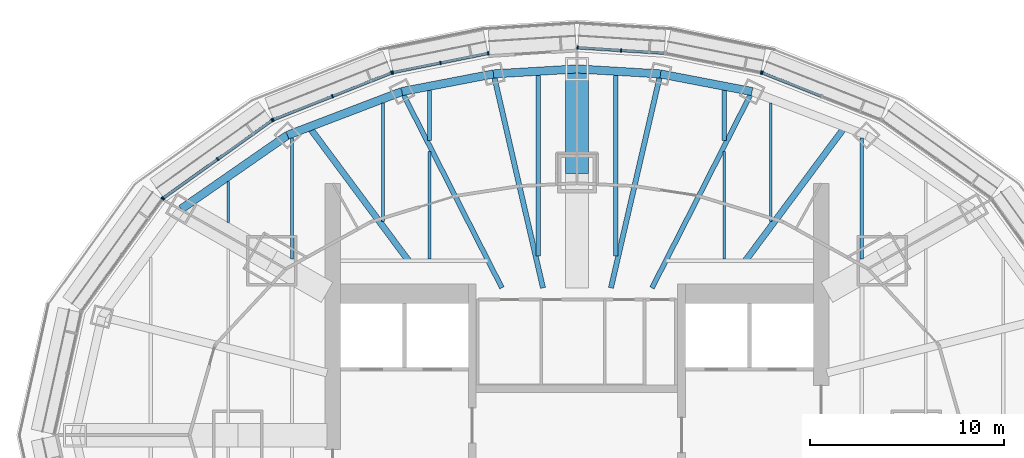
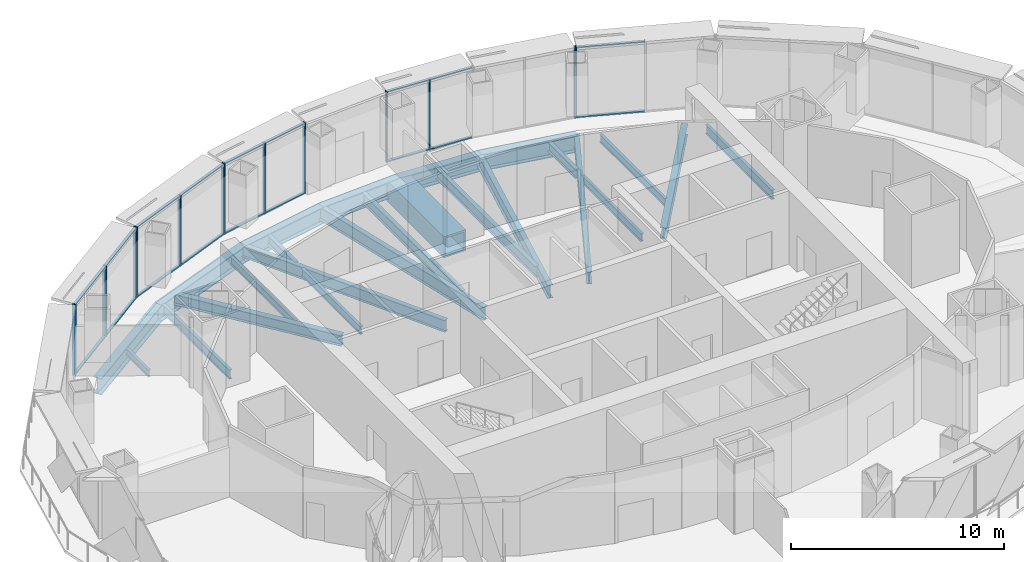
# One storey, part 7 of 17: 32 members, 24 beams, 7 elements without a shape of their own.
"""IFC4 building model written with IfcOpenShell, lengths in metres."""

from ifc_helpers import new_model, si_unit, direction, frame, origin, origin_2d, place, context, subcontext, project, spatial, rectangle, hollow_rectangle, i_section, extrude, material, material_profile, profile_set, type_object, element, aggregate, save


model = new_model("IFC4")

# Units and contexts
model_context = context("Model", 3, precision=1e-05, world=origin(), true_north=direction((0.0, 1.0)))
body_context = subcontext(model_context, "Body", "Model", "MODEL_VIEW")
ifc_project = project(units=[si_unit("LENGTHUNIT", "METRE"), si_unit("AREAUNIT", "SQUARE_METRE"), si_unit("VOLUMEUNIT", "CUBIC_METRE"), si_unit("PLANEANGLEUNIT", "RADIAN"), si_unit("MASSUNIT", "GRAM", prefix="KILO")], contexts=[model_context])

# Site, building, storey
site_placement = place(None, origin())
site = spatial("IfcSite", under=ifc_project, at=site_placement, CompositionType="ELEMENT")
building_placement = place(site_placement, origin())
building = spatial("IfcBuilding", under=site, at=building_placement, Name="Lantaw Convention Tower", CompositionType="ELEMENT")
storey_placement = place(building_placement, frame((0.0, 0.0, 199.0)))
storey = spatial("IfcBuildingStorey", under=building, at=storey_placement, Name="L46", CompositionType="ELEMENT", Elevation=199.0)

# Beams
ifc_material_1 = material(Name="Steel ASTM A992", Category="steel")
ifc_material_profile_1 = material_profile(ifc_material_1, i_section(OverallWidth=0.424072265625, OverallDepth=0.947509765625, WebThickness=0.02392578125, FlangeThickness=0.042724609375, FilletRadius=0.012451171875, at=origin_2d()), Name="W36X302")
ifc_profile_set_1 = profile_set([ifc_material_profile_1], Name="Steel ASTM A992")
beam_type_1 = type_object("IfcBeamType", Name="Beam BC W36X302", PredefinedType="SPANDREL", material=ifc_profile_set_1)
beam_1_placement = place(storey_placement, frame((9.03466796875, 17.7314453125, -0.623779296875), z_axis=(-0.981972091702, 0.189025953556, 0.0), x_axis=(-0.189025953556, -0.981972091702, 0.0)))
element("IfcBeam", 1, at=beam_1_placement, inside=storey, type_object=beam_type_1, Name="Belt truss chord 5", PredefinedType="SPANDREL", context=body_context, shape_type="SweptSolid", body=[
    extrude(i_section(OverallWidth=0.424072265625, OverallDepth=0.947509765625, WebThickness=0.02392578125, FlangeThickness=0.042724609375, FilletRadius=0.012451171875, at=origin_2d()), origin(), (0.0, 0.0, 1.0), 4.817626953125),
])
for number, where, z_axis, x_axis, name in (
    (2, (4.303955078125, 18.64208984375, -0.623779296875), (-0.998210730897, 0.059794119452, 0.0), (-0.059794119452, -0.998210730897, 0.0), "Belt truss chord 6"),
    (3, (0.0, 18.89990234375, -0.623779296875), (-0.998210730897, -0.059794119452, 0.0), (0.059794119452, -0.998210730897, 0.0), "Belt truss chord 7"),
):
    element("IfcBeam", number, at=place(storey_placement, frame(where, z_axis=z_axis, x_axis=x_axis)), inside=storey, type_object=beam_type_1, Name=name, PredefinedType="SPANDREL", context=body_context, shape_type="SweptSolid", body=[
        extrude(i_section(OverallWidth=0.424072265625, OverallDepth=0.947509765625, WebThickness=0.02392578125, FlangeThickness=0.042724609375, FilletRadius=0.012451171875, at=origin_2d()), origin(), (0.0, 0.0, 1.0), 4.311767578125),
    ])
beam_2_placement = place(storey_placement, frame((-4.303955078125, 18.64208984375, -0.623779296875), z_axis=(-0.981972091702, -0.189025953556, 0.0), x_axis=(0.189025953556, -0.981972091702, 0.0)))
element("IfcBeam", 4, at=beam_2_placement, inside=storey, type_object=beam_type_1, Name="Belt truss chord 8", PredefinedType="SPANDREL", context=body_context, shape_type="SweptSolid", body=[
    extrude(i_section(OverallWidth=0.424072265625, OverallDepth=0.947509765625, WebThickness=0.02392578125, FlangeThickness=0.042724609375, FilletRadius=0.012451171875, at=origin_2d()), origin(), (0.0, 0.0, 1.0), 4.817626953125),
])
beam_3_placement = place(storey_placement, frame((-9.03466796875, 17.7314453125, -0.623779296875), z_axis=(-0.934234988, -0.356658081637, 0.0), x_axis=(0.356658081637, -0.934234988, 0.0)))
element("IfcBeam", 5, at=beam_3_placement, inside=storey, type_object=beam_type_1, Name="Belt truss chord 9", PredefinedType="SPANDREL", context=body_context, shape_type="SweptSolid", body=[
    extrude(i_section(OverallWidth=0.424072265625, OverallDepth=0.947509765625, WebThickness=0.02392578125, FlangeThickness=0.042724609375, FilletRadius=0.012451171875, at=origin_2d()), origin(), (0.0, 0.0, 1.0), 6.32568359375),
])
beam_4_placement = place(storey_placement, frame((-14.9443359375, 15.475341796875, -0.623779296875), z_axis=(-0.82135329406, -0.570419815869, 0.0), x_axis=(0.570419815869, -0.82135329406, 0.0)))
element("IfcBeam", 6, at=beam_4_placement, inside=storey, type_object=beam_type_1, Name="Belt truss chord 10", PredefinedType="SPANDREL", context=body_context, shape_type="SweptSolid", body=[
    extrude(i_section(OverallWidth=0.424072265625, OverallDepth=0.947509765625, WebThickness=0.02392578125, FlangeThickness=0.042724609375, FilletRadius=0.012451171875, at=origin_2d()), origin(), (0.0, 0.0, 1.0), 6.67041015625),
])
ifc_material_2 = material(Name="Steel EN 10025-3 S460N", Category="steel")
ifc_material_profile_2 = material_profile(ifc_material_2, hollow_rectangle(XDim=1.199951171875, YDim=1.199951171875, WallThickness=0.10009765625, at=origin_2d()), Name="BOX1200X100")
ifc_profile_set_2 = profile_set([ifc_material_profile_2], Name="Steel EN 10025-3 S460N")
beam_type_2 = type_object("IfcBeamType", Name="Beam G BOX1200X100", PredefinedType="BEAM", material=ifc_profile_set_2)
beam_5_placement = place(storey_placement, frame((0.0, 13.5, -0.75), z_axis=(0.0, 1.0, 0.0), x_axis=(-1.0, 0.0, 0.0)))
element("IfcBeam", 7, at=beam_5_placement, inside=storey, type_object=beam_type_2, Name="Floor girder on ray 7", PredefinedType="BEAM", context=body_context, shape_type="SweptSolid", body=[
    extrude(hollow_rectangle(XDim=1.199951171875, YDim=1.199951171875, WallThickness=0.10009765625, at=origin_2d()), origin(), (0.0, 0.0, 1.0), 5.39990234375),
])
ifc_material_profile_3 = material_profile(ifc_material_1, i_section(OverallWidth=0.3251953125, OverallDepth=0.612060546875, WebThickness=0.0126953125, FlangeThickness=0.01904296875, FilletRadius=0.0126953125, at=origin_2d()), Name="W24X104")
ifc_profile_set_3 = profile_set([ifc_material_profile_3], Name="Steel ASTM A992")
beam_type_3 = type_object("IfcBeamType", Name="Beam G W24X104", PredefinedType="BEAM", material=ifc_profile_set_3)
for number, where, z_axis, x_axis, name in (
    (8, (8.691162109375, 9.0, -0.4560546875), (0.596616067071, 0.802526802364, 0.0), (-0.802526802364, 0.596616067071, 0.0), "Floor girder on ray 4"),
    (9, (-8.691162109375, 9.0, -0.4560546875), (-0.596616067071, 0.802526802364, 0.0), (-0.802526802364, -0.596616067071, 0.0), "Floor girder on ray 10"),
):
    element("IfcBeam", number, at=place(storey_placement, frame(where, z_axis=z_axis, x_axis=x_axis)), inside=storey, type_object=beam_type_3, Name=name, PredefinedType="BEAM", context=body_context, shape_type="SweptSolid", body=[
        extrude(i_section(OverallWidth=0.3251953125, OverallDepth=0.612060546875, WebThickness=0.0126953125, FlangeThickness=0.01904296875, FilletRadius=0.0126953125, at=origin_2d()), origin(), (0.0, 0.0, 1.0), 8.60205078125),
    ])
ifc_material_profile_4 = material_profile(ifc_material_1, i_section(OverallWidth=0.25390625, OverallDepth=0.683349609375, WebThickness=0.012451171875, FlangeThickness=0.01904296875, FilletRadius=0.01513671875, at=origin_2d()), Name="W27X94")
ifc_profile_set_4 = profile_set([ifc_material_profile_4], Name="Steel ASTM A992")
beam_type_4 = type_object("IfcBeamType", Name="Beam G W27X94", PredefinedType="BEAM", material=ifc_profile_set_4)
for number, where, z_axis, x_axis, name in (
    (10, (3.872314453125, 7.60009765625, -0.49169921875), (0.454002651457, 0.891000332475, 0.0), (-0.891000332475, 0.454002651457, 0.0), "Floor girder on ray 5"),
    (11, (-3.872314453125, 7.60009765625, -0.49169921875), (-0.454002651457, 0.891000332475, 0.0), (-0.891000332475, -0.454002651457, 0.0), "Floor girder on ray 9"),
):
    element("IfcBeam", number, at=place(storey_placement, frame(where, z_axis=z_axis, x_axis=x_axis)), inside=storey, type_object=beam_type_4, Name=name, PredefinedType="BEAM", context=body_context, shape_type="SweptSolid", body=[
        extrude(i_section(OverallWidth=0.25390625, OverallDepth=0.683349609375, WebThickness=0.012451171875, FlangeThickness=0.01904296875, FilletRadius=0.01513671875, at=origin_2d()), origin(), (0.0, 0.0, 1.0), 11.370849609375),
    ])
ifc_material_profile_5 = material_profile(ifc_material_1, i_section(OverallWidth=0.2666015625, OverallDepth=0.7568359375, WebThickness=0.013916015625, FlangeThickness=0.019287109375, FilletRadius=0.0126953125, at=origin_2d()), Name="W30X108")
ifc_profile_set_5 = profile_set([ifc_material_profile_5], Name="Steel ASTM A992")
beam_type_5 = type_object("IfcBeamType", Name="Beam G W30X108", PredefinedType="BEAM", material=ifc_profile_set_5)
for number, where, z_axis, x_axis, name in (
    (12, (1.754638671875, 7.60009765625, -0.528564453125), (0.224957056402, 0.974368679081, 0.0), (-0.974368679081, 0.224957056402, 0.0), "Floor girder on ray 6"),
    (13, (-1.754638671875, 7.60009765625, -0.528564453125), (-0.224957056402, 0.974368679081, 0.0), (-0.974368679081, -0.224957056402, 0.0), "Floor girder on ray 8"),
):
    element("IfcBeam", number, at=place(storey_placement, frame(where, z_axis=z_axis, x_axis=x_axis)), inside=storey, type_object=beam_type_5, Name=name, PredefinedType="BEAM", context=body_context, shape_type="SweptSolid", body=[
        extrude(i_section(OverallWidth=0.2666015625, OverallDepth=0.7568359375, WebThickness=0.013916015625, FlangeThickness=0.019287109375, FilletRadius=0.0126953125, at=origin_2d()), origin(), (0.0, 0.0, 1.0), 11.33251953125),
    ])
ifc_material_profile_6 = material_profile(ifc_material_1, i_section(OverallWidth=0.140380859375, OverallDepth=0.40380859375, WebThickness=0.007080078125, FlangeThickness=0.01123046875, FilletRadius=0.01025390625, at=origin_2d()), Name="W16X31")
ifc_profile_set_6 = profile_set([ifc_material_profile_6], Name="Steel ASTM A992")
beam_type_6 = type_object("IfcBeamType", Name="Beam J W16X31", PredefinedType="JOIST", material=ifc_profile_set_6)
beam_6_placement = place(storey_placement, frame((-18.0, 10.976806640625, -0.35205078125), z_axis=(0.0, 1.0, 0.0), x_axis=(-1.0, 0.0, 0.0)))
element("IfcBeam", 14, at=beam_6_placement, inside=storey, type_object=beam_type_6, Name="Floor joist", PredefinedType="JOIST", context=body_context, shape_type="SweptSolid", body=[
    extrude(i_section(OverallWidth=0.140380859375, OverallDepth=0.40380859375, WebThickness=0.007080078125, FlangeThickness=0.01123046875, FilletRadius=0.01025390625, at=origin_2d()), origin(), (0.0, 0.0, 1.0), 2.1181640625),
])
ifc_material_profile_7 = material_profile(ifc_material_1, i_section(OverallWidth=0.15234375, OverallDepth=0.449462890625, WebThickness=0.007568359375, FlangeThickness=0.0107421875, FilletRadius=0.01025390625, at=origin_2d()), Name="W18X35")
ifc_profile_set_7 = profile_set([ifc_material_profile_7], Name="Steel ASTM A992")
beam_type_7 = type_object("IfcBeamType", Name="Beam J W18X35", PredefinedType="JOIST", material=ifc_profile_set_7)
beam_7_placement = place(storey_placement, frame((-10.0, 11.032958984375, -0.374755859375), z_axis=(0.0, 1.0, 0.0), x_axis=(-1.0, 0.0, 0.0)))
element("IfcBeam", 15, at=beam_7_placement, inside=storey, type_object=beam_type_7, Name="Floor joist", PredefinedType="JOIST", context=body_context, shape_type="SweptSolid", body=[
    extrude(i_section(OverallWidth=0.15234375, OverallDepth=0.449462890625, WebThickness=0.007568359375, FlangeThickness=0.0107421875, FilletRadius=0.01025390625, at=origin_2d()), origin(), (0.0, 0.0, 1.0), 6.10302734375),
])
for number, where, z_axis, x_axis, name in (
    (16, (-7.60009765625, 9.089111328125, -0.374755859375), (0.0, 1.0, 0.0), (-1.0, 0.0, 0.0), "Floor joist"),
    (17, (7.60009765625, 9.089111328125, -0.374755859375), (0.0, 1.0, 0.0), (-1.0, 0.0, 0.0), "Floor joist"),
):
    element("IfcBeam", number, at=place(storey_placement, frame(where, z_axis=z_axis, x_axis=x_axis)), inside=storey, type_object=beam_type_7, Name=name, PredefinedType="JOIST", context=body_context, shape_type="SweptSolid", body=[
        extrude(i_section(OverallWidth=0.15234375, OverallDepth=0.449462890625, WebThickness=0.007568359375, FlangeThickness=0.0107421875, FilletRadius=0.01025390625, at=origin_2d()), origin(), (0.0, 0.0, 1.0), 5.546875),
    ])
beam_8_placement = place(storey_placement, frame((10.0, 11.032958984375, -0.374755859375), z_axis=(0.0, 1.0, 0.0), x_axis=(-1.0, 0.0, 0.0)))
element("IfcBeam", 18, at=beam_8_placement, inside=storey, type_object=beam_type_7, Name="Floor joist", PredefinedType="JOIST", context=body_context, shape_type="SweptSolid", body=[
    extrude(i_section(OverallWidth=0.15234375, OverallDepth=0.449462890625, WebThickness=0.007568359375, FlangeThickness=0.0107421875, FilletRadius=0.01025390625, at=origin_2d()), origin(), (0.0, 0.0, 1.0), 6.10302734375),
])
ifc_material_profile_8 = material_profile(ifc_material_1, i_section(OverallWidth=0.1650390625, OverallDepth=0.52587890625, WebThickness=0.0087890625, FlangeThickness=0.011474609375, FilletRadius=0.0126953125, at=origin_2d()), Name="W21X44")
ifc_profile_set_8 = profile_set([ifc_material_profile_8], Name="Steel ASTM A992")
beam_type_8 = type_object("IfcBeamType", Name="Beam J W21X44", PredefinedType="JOIST", material=ifc_profile_set_8)
for number, where, z_axis, x_axis, name in (
    (19, (-14.699951171875, 9.091064453125, -0.412841796875), (0.0, 1.0, 0.0), (-1.0, 0.0, 0.0), "Floor joist"),
    (20, (14.699951171875, 9.091064453125, -0.412841796875), (0.0, 1.0, 0.0), (-1.0, 0.0, 0.0), "Floor joist"),
):
    element("IfcBeam", number, at=place(storey_placement, frame(where, z_axis=z_axis, x_axis=x_axis)), inside=storey, type_object=beam_type_8, Name=name, PredefinedType="JOIST", context=body_context, shape_type="SweptSolid", body=[
        extrude(i_section(OverallWidth=0.1650390625, OverallDepth=0.52587890625, WebThickness=0.0087890625, FlangeThickness=0.011474609375, FilletRadius=0.0126953125, at=origin_2d()), origin(), (0.0, 0.0, 1.0), 6.250732421875),
    ])
ifc_material_profile_9 = material_profile(ifc_material_1, i_section(OverallWidth=0.2099609375, OverallDepth=0.535888671875, WebThickness=0.010986328125, FlangeThickness=0.017333984375, FilletRadius=0.012939453125, at=origin_2d()), Name="W21X68")
ifc_profile_set_9 = profile_set([ifc_material_profile_9], Name="Steel ASTM A992")
beam_type_9 = type_object("IfcBeamType", Name="Beam J W21X68", PredefinedType="JOIST", material=ifc_profile_set_9)
for number, where, z_axis, x_axis, name in (
    (21, (-7.60009765625, 15.195556640625, -0.41796875), (0.0, 1.0, 0.0), (-1.0, 0.0, 0.0), "Floor joist"),
    (22, (7.60009765625, 15.195556640625, -0.41796875), (0.0, 1.0, 0.0), (-1.0, 0.0, 0.0), "Floor joist"),
):
    element("IfcBeam", number, at=place(storey_placement, frame(where, z_axis=z_axis, x_axis=x_axis)), inside=storey, type_object=beam_type_9, Name=name, PredefinedType="JOIST", context=body_context, shape_type="SweptSolid", body=[
        extrude(i_section(OverallWidth=0.2099609375, OverallDepth=0.535888671875, WebThickness=0.010986328125, FlangeThickness=0.017333984375, FilletRadius=0.012939453125, at=origin_2d()), origin(), (0.0, 0.0, 1.0), 2.59619140625),
    ])
ifc_material_profile_10 = material_profile(ifc_material_1, i_section(OverallWidth=0.22900390625, OverallDepth=0.612060546875, WebThickness=0.011962890625, FlangeThickness=0.01953125, FilletRadius=0.0126953125, at=origin_2d()), Name="W24X84")
ifc_profile_set_10 = profile_set([ifc_material_profile_10], Name="Steel ASTM A992")
beam_type_10 = type_object("IfcBeamType", Name="Beam J W24X84", PredefinedType="JOIST", material=ifc_profile_set_10)
for number, where, z_axis, x_axis, name in (
    (23, (-2.0, 9.255859375, -0.4560546875), (0.0, 1.0, 0.0), (-1.0, 0.0, 0.0), "Floor joist"),
    (24, (2.0, 9.255859375, -0.4560546875), (0.0, 1.0, 0.0), (-1.0, 0.0, 0.0), "Floor joist"),
):
    element("IfcBeam", number, at=place(storey_placement, frame(where, z_axis=z_axis, x_axis=x_axis)), inside=storey, type_object=beam_type_10, Name=name, PredefinedType="JOIST", context=body_context, shape_type="SweptSolid", body=[
        extrude(i_section(OverallWidth=0.22900390625, OverallDepth=0.612060546875, WebThickness=0.011962890625, FlangeThickness=0.01953125, FilletRadius=0.0126953125, at=origin_2d()), origin(), (0.0, 0.0, 1.0), 9.311767578125),
    ])

# Curtain wall, member
ifc_material_3 = material(Name="Aluminium framed curtain wall", Category="aluminium")
curtain_wall_type = type_object("IfcCurtainWallType", Name="Office curtain wall high rise, pale aluminium", PredefinedType="USERDEFINED", material=ifc_material_3)
curtain_wall_1_placement = place(storey_placement, origin())
curtain_wall_1 = element("IfcCurtainWall", 25, at=curtain_wall_1_placement, inside=storey, type_object=curtain_wall_type, Name="Office curtain wall high rise, pale aluminium L46", ObjectType="UNITISED CURTAIN WALL", PredefinedType="USERDEFINED")
ifc_material_4 = material(Name="Aluminium 6063-T6", Category="aluminium")
ifc_material_profile_11 = material_profile(ifc_material_4, rectangle(XDim=0.179931640625, YDim=0.06494140625, at=origin_2d()), Name="CW-O2 mullion 65x180")
ifc_profile_set_11 = profile_set([ifc_material_profile_11], Name="Aluminium 6063-T6")
member_type_1 = type_object("IfcMemberType", Name="CW-O2 mullion 65x180", PredefinedType="MULLION", material=ifc_profile_set_11)
member_1_placement = place(storey_placement, frame((9.564208984375, 18.69970703125, 0.0), z_axis=(0.0, 0.0, 1.0), x_axis=(-0.368162315252, -0.929761533743, 0.0)))
member_1 = element("IfcMember", 26, at=member_1_placement, type_object=member_type_1, Name="CW-O2 mullion 3", PredefinedType="MULLION", context=body_context, shape_type="SweptSolid", body=[
    extrude(rectangle(XDim=0.179931640625, YDim=0.06494140625, at=origin_2d()), origin(), (0.0, 0.0, 1.0), 4.050048828125),
])

curtain_wall_2_placement = place(storey_placement, origin())
curtain_wall_2 = element("IfcCurtainWall", 27, at=curtain_wall_2_placement, inside=storey, type_object=curtain_wall_type, Name="Office curtain wall high rise, pale aluminium L46", ObjectType="UNITISED CURTAIN WALL", PredefinedType="USERDEFINED")
member_2_placement = place(storey_placement, frame((9.502197265625, 18.718017578125, 0.0), z_axis=(0.0, 0.0, 1.0), x_axis=(-0.197183095987, -0.980366679695, 0.0)))
member_2 = element("IfcMember", 28, at=member_2_placement, type_object=member_type_1, Name="CW-O2 mullion 1", PredefinedType="MULLION", context=body_context, shape_type="SweptSolid", body=[
    extrude(rectangle(XDim=0.179931640625, YDim=0.06494140625, at=origin_2d()), origin(), (0.0, 0.0, 1.0), 4.050048828125),
])
aggregate(curtain_wall_2, [member_2])

# Curtain wall, members
curtain_wall_3_placement = place(storey_placement, origin())
curtain_wall_3 = element("IfcCurtainWall", 29, at=curtain_wall_3_placement, inside=storey, type_object=curtain_wall_type, Name="Office curtain wall high rise, pale aluminium L46", ObjectType="UNITISED CURTAIN WALL", PredefinedType="USERDEFINED")
member_3_placement = place(storey_placement, frame((2.275634765625, 19.85693359375, 0.0), z_axis=(0.0, 0.0, 1.0), x_axis=(-0.062757983884, -0.998028774865, 0.0)))
member_3 = element("IfcMember", 30, at=member_3_placement, type_object=member_type_1, Name="CW-O2 mullion 2", PredefinedType="MULLION", context=body_context, shape_type="SweptSolid", body=[
    extrude(rectangle(XDim=0.179931640625, YDim=0.06494140625, at=origin_2d()), origin(), (0.0, 0.0, 1.0), 4.050048828125),
])
member_4_placement = place(storey_placement, frame((0.032470703125, 19.998046875, 0.0), z_axis=(0.0, 0.0, 1.0), x_axis=(-0.062757983884, -0.998028774865, 0.0)))
member_4 = element("IfcMember", 31, at=member_4_placement, type_object=member_type_1, Name="CW-O2 mullion 3", PredefinedType="MULLION", context=body_context, shape_type="SweptSolid", body=[
    extrude(rectangle(XDim=0.179931640625, YDim=0.06494140625, at=origin_2d()), origin(), (0.0, 0.0, 1.0), 4.050048828125),
])

curtain_wall_4_placement = place(storey_placement, origin())
curtain_wall_4 = element("IfcCurtainWall", 32, at=curtain_wall_4_placement, inside=storey, type_object=curtain_wall_type, Name="Office curtain wall high rise, pale aluminium L46", ObjectType="UNITISED CURTAIN WALL", PredefinedType="USERDEFINED")
member_5_placement = place(storey_placement, frame((-4.583251953125, 19.70751953125, 0.0), z_axis=(0.0, 0.0, 1.0), x_axis=(0.197183095987, -0.980366679695, 0.0)))
member_5 = element("IfcMember", 33, at=member_5_placement, type_object=member_type_1, Name="CW-O2 mullion 1", PredefinedType="MULLION", context=body_context, shape_type="SweptSolid", body=[
    extrude(rectangle(XDim=0.179931640625, YDim=0.06494140625, at=origin_2d()), origin(), (0.0, 0.0, 1.0), 4.050048828125),
])
member_6_placement = place(storey_placement, frame((-7.042724609375, 19.212646484375, 0.0), z_axis=(0.0, 0.0, 1.0), x_axis=(0.197183095987, -0.980366679695, 0.0)))
member_6 = element("IfcMember", 34, at=member_6_placement, type_object=member_type_1, Name="CW-O2 mullion 2", PredefinedType="MULLION", context=body_context, shape_type="SweptSolid", body=[
    extrude(rectangle(XDim=0.179931640625, YDim=0.06494140625, at=origin_2d()), origin(), (0.0, 0.0, 1.0), 4.050048828125),
])
member_7_placement = place(storey_placement, frame((-9.502197265625, 18.718017578125, 0.0), z_axis=(0.0, 0.0, 1.0), x_axis=(0.197183095987, -0.980366679695, 0.0)))
member_7 = element("IfcMember", 35, at=member_7_placement, type_object=member_type_1, Name="CW-O2 mullion 3", PredefinedType="MULLION", context=body_context, shape_type="SweptSolid", body=[
    extrude(rectangle(XDim=0.179931640625, YDim=0.06494140625, at=origin_2d()), origin(), (0.0, 0.0, 1.0), 4.050048828125),
])

curtain_wall_5_placement = place(storey_placement, origin())
curtain_wall_5 = element("IfcCurtainWall", 36, at=curtain_wall_5_placement, inside=storey, type_object=curtain_wall_type, Name="Office curtain wall high rise, pale aluminium L46", ObjectType="UNITISED CURTAIN WALL", PredefinedType="USERDEFINED")
member_8_placement = place(storey_placement, frame((-9.564208984375, 18.69970703125, 0.0), z_axis=(0.0, 0.0, 1.0), x_axis=(0.368162315252, -0.929761533743, 0.0)))
member_8 = element("IfcMember", 37, at=member_8_placement, type_object=member_type_1, Name="CW-O2 mullion 1", PredefinedType="MULLION", context=body_context, shape_type="SweptSolid", body=[
    extrude(rectangle(XDim=0.179931640625, YDim=0.06494140625, at=origin_2d()), origin(), (0.0, 0.0, 1.0), 4.050048828125),
])
member_9_placement = place(storey_placement, frame((-12.621337890625, 17.4892578125, 0.0), z_axis=(0.0, 0.0, 1.0), x_axis=(0.368162315252, -0.929761533743, 0.0)))
member_9 = element("IfcMember", 38, at=member_9_placement, type_object=member_type_1, Name="CW-O2 mullion 2", PredefinedType="MULLION", context=body_context, shape_type="SweptSolid", body=[
    extrude(rectangle(XDim=0.179931640625, YDim=0.06494140625, at=origin_2d()), origin(), (0.0, 0.0, 1.0), 4.050048828125),
])
member_10_placement = place(storey_placement, frame((-15.67822265625, 16.278564453125, 0.0), z_axis=(0.0, 0.0, 1.0), x_axis=(0.368162315252, -0.929761533743, 0.0)))
member_10 = element("IfcMember", 39, at=member_10_placement, type_object=member_type_1, Name="CW-O2 mullion 3", PredefinedType="MULLION", context=body_context, shape_type="SweptSolid", body=[
    extrude(rectangle(XDim=0.179931640625, YDim=0.06494140625, at=origin_2d()), origin(), (0.0, 0.0, 1.0), 4.050048828125),
])

curtain_wall_6_placement = place(storey_placement, origin())
curtain_wall_6 = element("IfcCurtainWall", 40, at=curtain_wall_6_placement, inside=storey, type_object=curtain_wall_type, Name="Office curtain wall high rise, pale aluminium L46", ObjectType="UNITISED CURTAIN WALL", PredefinedType="USERDEFINED")
member_11_placement = place(storey_placement, frame((-15.73486328125, 16.247802734375, 0.0), z_axis=(0.0, 0.0, 1.0), x_axis=(0.581323487281, -0.813672540482, 0.0)))
member_11 = element("IfcMember", 41, at=member_11_placement, type_object=member_type_1, Name="CW-O2 mullion 1", PredefinedType="MULLION", context=body_context, shape_type="SweptSolid", body=[
    extrude(rectangle(XDim=0.179931640625, YDim=0.06494140625, at=origin_2d()), origin(), (0.0, 0.0, 1.0), 4.050048828125),
])
member_12_placement = place(storey_placement, frame((-18.543212890625, 14.241455078125, 0.0), z_axis=(0.0, 0.0, 1.0), x_axis=(0.581323487281, -0.813672540482, 0.0)))
member_12 = element("IfcMember", 42, at=member_12_placement, type_object=member_type_1, Name="CW-O2 mullion 2", PredefinedType="MULLION", context=body_context, shape_type="SweptSolid", body=[
    extrude(rectangle(XDim=0.179931640625, YDim=0.06494140625, at=origin_2d()), origin(), (0.0, 0.0, 1.0), 4.050048828125),
])
member_13_placement = place(storey_placement, frame((-21.3515625, 12.23486328125, 0.0), z_axis=(0.0, 0.0, 1.0), x_axis=(0.581323487281, -0.813672540482, 0.0)))
member_13 = element("IfcMember", 43, at=member_13_placement, type_object=member_type_1, Name="CW-O2 mullion 3", PredefinedType="MULLION", context=body_context, shape_type="SweptSolid", body=[
    extrude(rectangle(XDim=0.179931640625, YDim=0.06494140625, at=origin_2d()), origin(), (0.0, 0.0, 1.0), 4.050048828125),
])

# Curtain wall, member
curtain_wall_7_placement = place(storey_placement, origin())
curtain_wall_7 = element("IfcCurtainWall", 44, at=curtain_wall_7_placement, inside=storey, type_object=curtain_wall_type, Name="Office curtain wall high rise, pale aluminium L46", ObjectType="UNITISED CURTAIN WALL", PredefinedType="USERDEFINED")
member_14_placement = place(storey_placement, frame((-21.397216796875, 12.189697265625, 0.0), z_axis=(0.0, 0.0, 1.0), x_axis=(0.810919559405, -0.585157643865, 0.0)))
member_14 = element("IfcMember", 45, at=member_14_placement, type_object=member_type_1, Name="CW-O2 mullion 1", PredefinedType="MULLION", context=body_context, shape_type="SweptSolid", body=[
    extrude(rectangle(XDim=0.179931640625, YDim=0.06494140625, at=origin_2d()), origin(), (0.0, 0.0, 1.0), 4.050048828125),
])
aggregate(curtain_wall_7, [member_14])

# Member
ifc_material_profile_12 = material_profile(ifc_material_4, rectangle(XDim=0.14990234375, YDim=0.06494140625, at=origin_2d()), Name="CW-O2 transom 65x150")
ifc_profile_set_12 = profile_set([ifc_material_profile_12], Name="Aluminium 6063-T6")
member_type_2 = type_object("IfcMemberType", Name="CW-O2 transom 65x150", PredefinedType="USERDEFINED", material=ifc_profile_set_12)
member_15_placement = place(storey_placement, frame((12.591064453125, 17.501220703125, 0.032470703125), z_axis=(-0.929766642946, 0.368149412149, 0.0), x_axis=(-0.368149412149, -0.929766642946, 0.0)))
member_15 = element("IfcMember", 46, at=member_15_placement, type_object=member_type_2, Name="CW-O2 transom 2.1", ObjectType="TRANSOM", PredefinedType="USERDEFINED", context=body_context, shape_type="SweptSolid", body=[
    extrude(rectangle(XDim=0.14990234375, YDim=0.06494140625, at=origin_2d()), origin(), (0.0, 0.0, 1.0), 3.222900390625),
])

member_16_placement = place(storey_placement, frame((12.591064453125, 17.501220703125, 4.017578125), z_axis=(-0.929766642946, 0.368149412149, 0.0), x_axis=(-0.368149412149, -0.929766642946, 0.0)))
member_16 = element("IfcMember", 47, at=member_16_placement, type_object=member_type_2, Name="CW-O2 transom 2.2", ObjectType="TRANSOM", PredefinedType="USERDEFINED", context=body_context, shape_type="SweptSolid", body=[
    extrude(rectangle(XDim=0.14990234375, YDim=0.06494140625, at=origin_2d()), origin(), (0.0, 0.0, 1.0), 3.222900390625),
])

aggregate(curtain_wall_1, [member_1, member_15, member_16])

member_17_placement = place(storey_placement, frame((4.486328125, 19.7177734375, 0.032470703125), z_axis=(-0.998021991509, 0.062865765437, 0.0), x_axis=(-0.062865765437, -0.998021991509, 0.0)))
member_17 = element("IfcMember", 48, at=member_17_placement, type_object=member_type_2, Name="CW-O2 transom 1.1", ObjectType="TRANSOM", PredefinedType="USERDEFINED", context=body_context, shape_type="SweptSolid", body=[
    extrude(rectangle(XDim=0.14990234375, YDim=0.06494140625, at=origin_2d()), origin(), (0.0, 0.0, 1.0), 2.1826171875),
])

member_18_placement = place(storey_placement, frame((4.486328125, 19.7177734375, 4.017578125), z_axis=(-0.998021991509, 0.062865765437, 0.0), x_axis=(-0.062865765437, -0.998021991509, 0.0)))
member_18 = element("IfcMember", 49, at=member_18_placement, type_object=member_type_2, Name="CW-O2 transom 1.2", ObjectType="TRANSOM", PredefinedType="USERDEFINED", context=body_context, shape_type="SweptSolid", body=[
    extrude(rectangle(XDim=0.14990234375, YDim=0.06494140625, at=origin_2d()), origin(), (0.0, 0.0, 1.0), 2.1826171875),
])

member_19_placement = place(storey_placement, frame((2.2431640625, 19.85888671875, 0.032470703125), z_axis=(-0.998029003644, 0.062754345555, 0.0), x_axis=(-0.062754345555, -0.998029003644, 0.0)))
member_19 = element("IfcMember", 50, at=member_19_placement, type_object=member_type_2, Name="CW-O2 transom 2.1", ObjectType="TRANSOM", PredefinedType="USERDEFINED", context=body_context, shape_type="SweptSolid", body=[
    extrude(rectangle(XDim=0.14990234375, YDim=0.06494140625, at=origin_2d()), origin(), (0.0, 0.0, 1.0), 2.1826171875),
])

member_20_placement = place(storey_placement, frame((2.2431640625, 19.85888671875, 4.017578125), z_axis=(-0.998029003644, 0.062754345555, 0.0), x_axis=(-0.062754345555, -0.998029003644, 0.0)))
member_20 = element("IfcMember", 51, at=member_20_placement, type_object=member_type_2, Name="CW-O2 transom 2.2", ObjectType="TRANSOM", PredefinedType="USERDEFINED", context=body_context, shape_type="SweptSolid", body=[
    extrude(rectangle(XDim=0.14990234375, YDim=0.06494140625, at=origin_2d()), origin(), (0.0, 0.0, 1.0), 2.1826171875),
])

aggregate(curtain_wall_3, [member_3, member_4, member_17, member_18, member_19, member_20])

member_21_placement = place(storey_placement, frame((-4.614990234375, 19.700927734375, 0.032470703125), z_axis=(-0.980380354178, -0.197115096178, 0.0), x_axis=(0.197115096178, -0.980380354178, 0.0)))
member_21 = element("IfcMember", 52, at=member_21_placement, type_object=member_type_2, Name="CW-O2 transom 1.1", ObjectType="TRANSOM", PredefinedType="USERDEFINED", context=body_context, shape_type="SweptSolid", body=[
    extrude(rectangle(XDim=0.14990234375, YDim=0.06494140625, at=origin_2d()), origin(), (0.0, 0.0, 1.0), 2.443603515625),
])

member_22_placement = place(storey_placement, frame((-4.614990234375, 19.700927734375, 4.017578125), z_axis=(-0.980380354178, -0.197115096178, 0.0), x_axis=(0.197115096178, -0.980380354178, 0.0)))
member_22 = element("IfcMember", 53, at=member_22_placement, type_object=member_type_2, Name="CW-O2 transom 1.2", ObjectType="TRANSOM", PredefinedType="USERDEFINED", context=body_context, shape_type="SweptSolid", body=[
    extrude(rectangle(XDim=0.14990234375, YDim=0.06494140625, at=origin_2d()), origin(), (0.0, 0.0, 1.0), 2.443603515625),
])

member_23_placement = place(storey_placement, frame((-7.074462890625, 19.206298828125, 0.032470703125), z_axis=(-0.98036104319, -0.197211117829, 0.0), x_axis=(0.197211117829, -0.98036104319, 0.0)))
member_23 = element("IfcMember", 54, at=member_23_placement, type_object=member_type_2, Name="CW-O2 transom 2.1", ObjectType="TRANSOM", PredefinedType="USERDEFINED", context=body_context, shape_type="SweptSolid", body=[
    extrude(rectangle(XDim=0.14990234375, YDim=0.06494140625, at=origin_2d()), origin(), (0.0, 0.0, 1.0), 2.44384765625),
])

member_24_placement = place(storey_placement, frame((-7.074462890625, 19.206298828125, 4.017578125), z_axis=(-0.98036104319, -0.197211117829, 0.0), x_axis=(0.197211117829, -0.98036104319, 0.0)))
member_24 = element("IfcMember", 55, at=member_24_placement, type_object=member_type_2, Name="CW-O2 transom 2.2", ObjectType="TRANSOM", PredefinedType="USERDEFINED", context=body_context, shape_type="SweptSolid", body=[
    extrude(rectangle(XDim=0.14990234375, YDim=0.06494140625, at=origin_2d()), origin(), (0.0, 0.0, 1.0), 2.44384765625),
])

aggregate(curtain_wall_4, [member_5, member_6, member_7, member_21, member_22, member_23, member_24])

member_25_placement = place(storey_placement, frame((-9.594482421875, 18.687744140625, 0.032470703125), z_axis=(-0.929766642946, -0.368149412149, 0.0), x_axis=(0.368149412149, -0.929766642946, 0.0)))
member_25 = element("IfcMember", 56, at=member_25_placement, type_object=member_type_2, Name="CW-O2 transom 1.1", ObjectType="TRANSOM", PredefinedType="USERDEFINED", context=body_context, shape_type="SweptSolid", body=[
    extrude(rectangle(XDim=0.14990234375, YDim=0.06494140625, at=origin_2d()), origin(), (0.0, 0.0, 1.0), 3.222900390625),
])

member_26_placement = place(storey_placement, frame((-9.594482421875, 18.687744140625, 4.017578125), z_axis=(-0.929766642946, -0.368149412149, 0.0), x_axis=(0.368149412149, -0.929766642946, 0.0)))
member_26 = element("IfcMember", 57, at=member_26_placement, type_object=member_type_2, Name="CW-O2 transom 1.2", ObjectType="TRANSOM", PredefinedType="USERDEFINED", context=body_context, shape_type="SweptSolid", body=[
    extrude(rectangle(XDim=0.14990234375, YDim=0.06494140625, at=origin_2d()), origin(), (0.0, 0.0, 1.0), 3.222900390625),
])

member_27_placement = place(storey_placement, frame((-12.651611328125, 17.477294921875, 0.032470703125), z_axis=(-0.929740712354, -0.368214893495, 0.0), x_axis=(0.368214893495, -0.929740712354, 0.0)))
member_27 = element("IfcMember", 58, at=member_27_placement, type_object=member_type_2, Name="CW-O2 transom 2.1", ObjectType="TRANSOM", PredefinedType="USERDEFINED", context=body_context, shape_type="SweptSolid", body=[
    extrude(rectangle(XDim=0.14990234375, YDim=0.06494140625, at=origin_2d()), origin(), (0.0, 0.0, 1.0), 3.22314453125),
])

member_28_placement = place(storey_placement, frame((-12.651611328125, 17.477294921875, 4.017578125), z_axis=(-0.929740712354, -0.368214893495, 0.0), x_axis=(0.368214893495, -0.929740712354, 0.0)))
member_28 = element("IfcMember", 59, at=member_28_placement, type_object=member_type_2, Name="CW-O2 transom 2.2", ObjectType="TRANSOM", PredefinedType="USERDEFINED", context=body_context, shape_type="SweptSolid", body=[
    extrude(rectangle(XDim=0.14990234375, YDim=0.06494140625, at=origin_2d()), origin(), (0.0, 0.0, 1.0), 3.22314453125),
])

aggregate(curtain_wall_5, [member_8, member_9, member_10, member_25, member_26, member_27, member_28])

member_29_placement = place(storey_placement, frame((-15.761474609375, 16.22900390625, 0.032470703125), z_axis=(-0.813645780821, -0.581360940683, 0.0), x_axis=(0.581360940683, -0.813645780821, 0.0)))
member_29 = element("IfcMember", 60, at=member_29_placement, type_object=member_type_2, Name="CW-O2 transom 1.1", ObjectType="TRANSOM", PredefinedType="USERDEFINED", context=body_context, shape_type="SweptSolid", body=[
    extrude(rectangle(XDim=0.14990234375, YDim=0.06494140625, at=origin_2d()), origin(), (0.0, 0.0, 1.0), 3.386474609375),
])

member_30_placement = place(storey_placement, frame((-15.761474609375, 16.22900390625, 4.017578125), z_axis=(-0.813645780821, -0.581360940683, 0.0), x_axis=(0.581360940683, -0.813645780821, 0.0)))
member_30 = element("IfcMember", 61, at=member_30_placement, type_object=member_type_2, Name="CW-O2 transom 1.2", ObjectType="TRANSOM", PredefinedType="USERDEFINED", context=body_context, shape_type="SweptSolid", body=[
    extrude(rectangle(XDim=0.14990234375, YDim=0.06494140625, at=origin_2d()), origin(), (0.0, 0.0, 1.0), 3.386474609375),
])

member_31_placement = place(storey_placement, frame((-18.56982421875, 14.222412109375, 0.032470703125), z_axis=(-0.813679882592, -0.581313210468, 0.0), x_axis=(0.581313210468, -0.813679882592, 0.0)))
member_31 = element("IfcMember", 62, at=member_31_placement, type_object=member_type_2, Name="CW-O2 transom 2.1", ObjectType="TRANSOM", PredefinedType="USERDEFINED", context=body_context, shape_type="SweptSolid", body=[
    extrude(rectangle(XDim=0.14990234375, YDim=0.06494140625, at=origin_2d()), origin(), (0.0, 0.0, 1.0), 3.38623046875),
])

member_32_placement = place(storey_placement, frame((-18.56982421875, 14.222412109375, 4.017578125), z_axis=(-0.813679882592, -0.581313210468, 0.0), x_axis=(0.581313210468, -0.813679882592, 0.0)))
member_32 = element("IfcMember", 63, at=member_32_placement, type_object=member_type_2, Name="CW-O2 transom 2.2", ObjectType="TRANSOM", PredefinedType="USERDEFINED", context=body_context, shape_type="SweptSolid", body=[
    extrude(rectangle(XDim=0.14990234375, YDim=0.06494140625, at=origin_2d()), origin(), (0.0, 0.0, 1.0), 3.38623046875),
])

aggregate(curtain_wall_6, [member_11, member_12, member_13, member_29, member_30, member_31, member_32])

save(model, "model.ifc")
